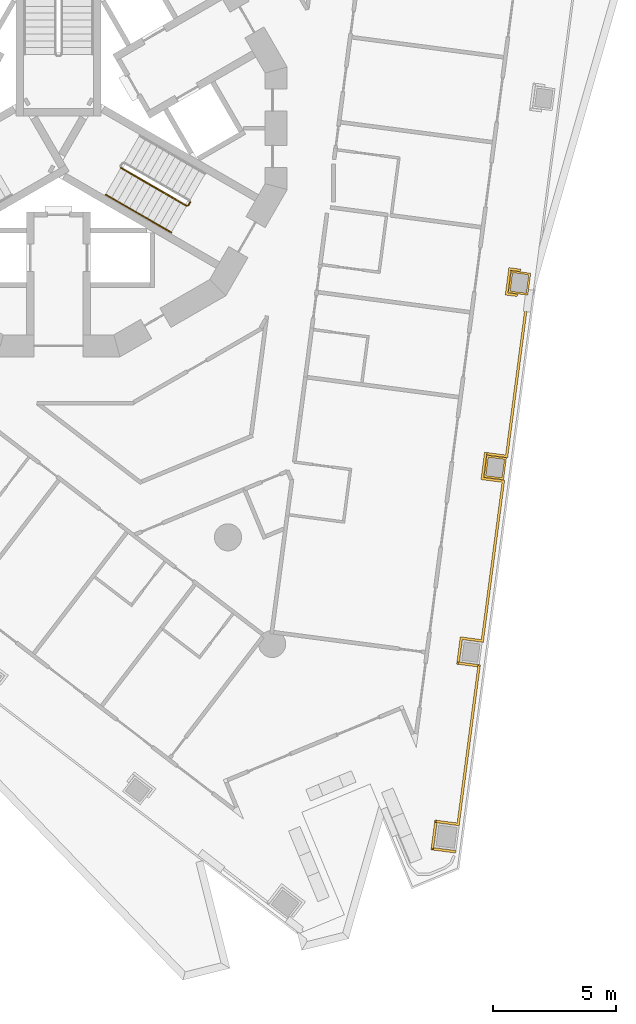
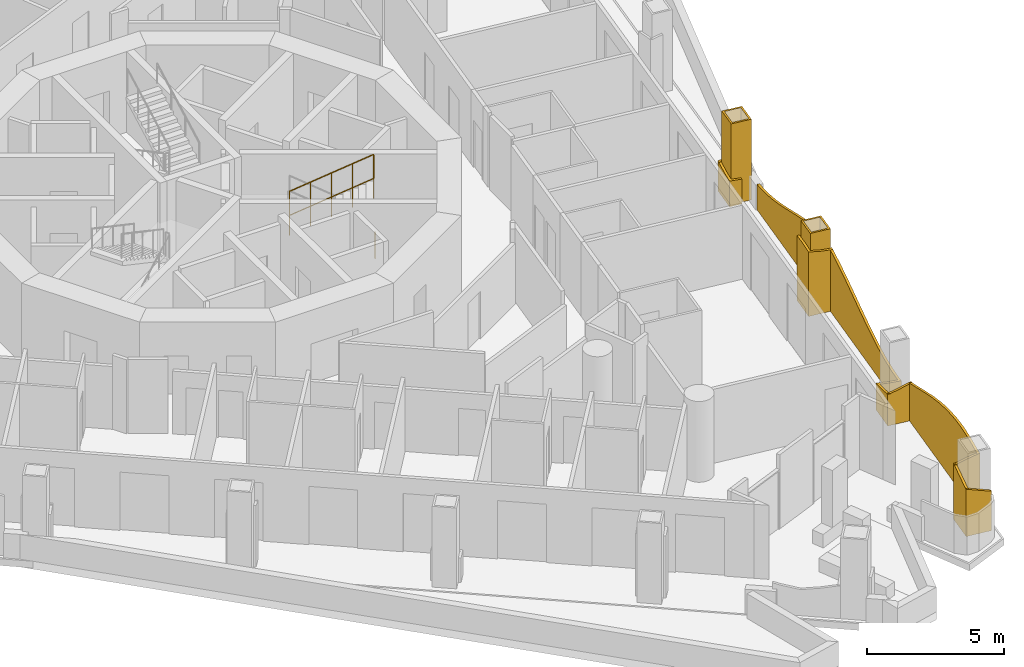
# One storey, part 14 of 19: 6 railings, 2 coverings.
"""IFC4 building model written with IfcOpenShell, lengths in metres."""

import ifcopenshell
import ifcopenshell.guid

model = None  # the IFC model being written
_history = None  # IfcOwnerHistory: only IFC2X3 demands one
_inside = {}  # id of a spatial element -> (the spatial element, [elements in it])
_under = {}  # id of a project, library or spatial element -> (it, [spatial elements below it])
_declared = {}  # id of a project -> (the project, [libraries it declares])
_typed = {}  # id of a type object -> (the type object, [elements of that type])
_made_of = {}  # id of a material, layer set ... -> (it, [elements and type objects made of it])


def new_model(schema):
    """Start an empty IFC model of exactly this schema.

    Asked for "IFC4X3", IfcOpenShell would pick the latest addendum, in which some entities
    have other attributes; the version numbers below select the first issue.
    IFC2X3 requires an IfcOwnerHistory on every rooted entity: one is made here for all.
    """
    global model, _history
    if schema == "IFC4X3":
        model = ifcopenshell.file(schema_version=(4, 3, 0, 0))
    else:
        model = ifcopenshell.file(schema=schema)
    _inside.clear()
    _under.clear()
    _declared.clear()
    _typed.clear()
    _made_of.clear()
    _history = None
    if model.schema == "IFC2X3":
        org = make("IfcOrganization", Name="unknown")
        user = make(
            "IfcPersonAndOrganization",
            ThePerson=make("IfcPerson", FamilyName="unknown"),
            TheOrganization=org,
        )
        app = make(
            "IfcApplication",
            ApplicationDeveloper=org,
            Version="unknown",
            ApplicationFullName="unknown",
            ApplicationIdentifier="unknown",
        )
        _history = make(
            "IfcOwnerHistory",
            OwningUser=user,
            OwningApplication=app,
            ChangeAction="ADDED",
            CreationDate=0,
        )
    return model


def make(cls, **values):
    """One entity of the class cls with the attributes given. An attribute that is None is left unset."""
    return model.create_entity(
        cls, **{name: value for name, value in values.items() if value is not None}
    )


def rooted(cls, **values):
    """An entity with a GlobalId (a new one), such as an element, a storey or a relation."""
    return make(cls, GlobalId=ifcopenshell.guid.new(), OwnerHistory=_history, **values)


def si_unit(unit_type, name, prefix=None):
    """IfcSIUnit, for example si_unit("LENGTHUNIT", "METRE", prefix="MILLI")."""
    return make("IfcSIUnit", UnitType=unit_type, Prefix=prefix, Name=name)


def assignment(units):
    """IfcUnitAssignment: the units of a project."""
    return None if units is None else make("IfcUnitAssignment", Units=units)


def point(xyz):
    """IfcCartesianPoint."""
    return None if xyz is None else make("IfcCartesianPoint", Coordinates=xyz)


def direction(xyz):
    """IfcDirection."""
    return None if xyz is None else make("IfcDirection", DirectionRatios=xyz)


def frame(location, z_axis=None, x_axis=None):
    """IfcAxis2Placement3D, a coordinate frame: its origin and axes. An axis left out is left unset."""
    return make(
        "IfcAxis2Placement3D",
        Location=point(location),
        Axis=direction(z_axis),
        RefDirection=direction(x_axis),
    )


def frame_2d(location, x_axis=None):
    """IfcAxis2Placement2D, a coordinate frame in the plane: its origin and x axis."""
    return make(
        "IfcAxis2Placement2D", Location=point(location), RefDirection=direction(x_axis)
    )


def origin():
    """The frame at (0, 0, 0) with its axes left unset."""
    return frame((0.0, 0.0, 0.0))


def origin_2d():
    """The frame at (0, 0) in the plane with its x axis left unset."""
    return frame_2d((0.0, 0.0))


def place(relative_to, where):
    """IfcLocalPlacement: puts the frame where relative to a parent placement (None: the world)."""
    return make(
        "IfcLocalPlacement", PlacementRelTo=relative_to, RelativePlacement=where
    )


def context(
    kind, dimensions, precision=None, world=None, true_north=None, identifier=None
):
    """IfcGeometricRepresentationContext, for example the 3D "Model" context."""
    return make(
        "IfcGeometricRepresentationContext",
        ContextIdentifier=identifier,
        ContextType=kind,
        CoordinateSpaceDimension=dimensions,
        Precision=precision,
        WorldCoordinateSystem=world,
        TrueNorth=true_north,
    )


def subcontext(parent, identifier, kind, view, scale=None):
    """IfcGeometricRepresentationSubContext, for example "Body" below "Model"."""
    return make(
        "IfcGeometricRepresentationSubContext",
        ContextIdentifier=identifier,
        ContextType=kind,
        ParentContext=parent,
        TargetScale=scale,
        TargetView=view,
    )


def project(units=None, contexts=None):
    """IfcProject with its units and contexts."""
    return rooted(
        "IfcProject",
        Name="project",
        RepresentationContexts=contexts,
        UnitsInContext=assignment(units),
    )


def spatial(cls, under=None, at=None, **own):
    """A site, building, storey or space (cls), placed at a placement, below another one or the project."""
    s = rooted(cls, ObjectPlacement=at, **own)
    if under is not None:
        _under.setdefault(under.id(), (under, []))[1].append(s)
    return s


def polyline(points):
    """IfcPolyline through the points."""
    return make("IfcPolyline", Points=[point(p) for p in points])


def profile(cls, at=None, kind="AREA", **sizes):
    """A parametric profile (cls). Its sizes go by their IFC names, for example OverallWidth=200.0."""
    return make(cls, ProfileType=kind, Position=at, **sizes)


def circle(**sizes):
    """IfcCircleProfileDef."""
    return profile("IfcCircleProfileDef", **sizes)


def outline(outer, holes=None, kind="AREA"):
    """IfcArbitraryClosedProfileDef: a profile drawn as a closed curve; with holes, ...WithVoids."""
    if holes is None:
        return make("IfcArbitraryClosedProfileDef", ProfileType=kind, OuterCurve=outer)
    return make(
        "IfcArbitraryProfileDefWithVoids",
        ProfileType=kind,
        OuterCurve=outer,
        InnerCurves=holes,
    )


def extrude(swept, where, along, depth):
    """IfcExtrudedAreaSolid: the profile swept, set in the frame where, extruded along a direction by depth."""
    return make(
        "IfcExtrudedAreaSolid",
        SweptArea=swept,
        Position=where,
        ExtrudedDirection=direction(along),
        Depth=depth,
    )


def shape(context_of_items, identifier, shape_type, items):
    """IfcShapeRepresentation: the items that make up one representation, for example the "Body"."""
    return make(
        "IfcShapeRepresentation",
        ContextOfItems=context_of_items,
        RepresentationIdentifier=identifier,
        RepresentationType=shape_type,
        Items=items,
    )


def material(Name=None, Category=None):
    """IfcMaterial."""
    return make("IfcMaterial", Name=Name, Category=Category)


def layer(
    of_material, thickness, ventilated=None, Name=None, Category=None, Priority=None
):
    """IfcMaterialLayer: one layer of a wall or slab, of a material (None: an air gap)."""
    return make(
        "IfcMaterialLayer",
        Material=of_material,
        LayerThickness=thickness,
        IsVentilated=ventilated,
        Name=Name,
        Category=Category,
        Priority=Priority,
    )


def layer_set(layers, Name=None):
    """IfcMaterialLayerSet."""
    return make("IfcMaterialLayerSet", MaterialLayers=layers, LayerSetName=Name)


def made_of(thing, what):
    """Note that an element or type object is made of a material, layer set ...; save() writes the relation."""
    if what is not None:
        _made_of.setdefault(what.id(), (what, []))[1].append(thing)
    return thing


def type_object(cls, material=None, **own):
    """A type object (cls), such as IfcWallType, which elements share."""
    return made_of(rooted(cls, **own), material)


def element(
    cls,
    number,
    at=None,
    inside=None,
    cuts=None,
    type_object=None,
    material=None,
    context=None,
    identifier="Body",
    shape_type=None,
    held_by="IfcProductDefinitionShape",
    body=None,
    shapes=None,
    **own,
):
    """One element of the class cls, such as IfcWall. Its Tag is "e" and its number.

    at: its placement. inside: the storey or other place that contains it. cuts: it is an
    opening in that element (IfcRelVoidsElement). A single representation is given by context,
    identifier, shape_type and body (its items); several are given by shapes. held_by: the class
    of the entity that holds the representations. save() writes the other relations.
    """
    e = rooted(cls, Tag="e%d" % number, ObjectPlacement=at, **own)
    if body is not None:
        shapes = [shape(context, identifier, shape_type, body)]
    if shapes is not None:
        e.Representation = make(held_by, Representations=shapes)
    if inside is not None:
        _inside.setdefault(inside.id(), (inside, []))[1].append(e)
    if cuts is not None:
        rooted(
            "IfcRelVoidsElement", RelatingBuildingElement=cuts, RelatedOpeningElement=e
        )
    if type_object is not None:
        _typed.setdefault(type_object.id(), (type_object, []))[1].append(e)
    return made_of(e, material)


def aggregate(whole, parts):
    """IfcRelAggregates: a whole, such as a stair, and the parts it consists of."""
    return rooted("IfcRelAggregates", RelatingObject=whole, RelatedObjects=parts)


def save(model, path):
    """Write the relations noted so far, then the file.

    IfcRelAggregates (storeys below a building ...), IfcRelContainedInSpatialStructure (elements
    in a storey), IfcRelDefinesByType, IfcRelAssociatesMaterial and IfcRelDeclares: one each for
    every whole, place, type object, material and project.
    """
    for whole, parts in _under.values():
        aggregate(whole, parts)
    for where, things in _inside.values():
        rooted(
            "IfcRelContainedInSpatialStructure",
            RelatedElements=things,
            RelatingStructure=where,
        )
    for kind, things in _typed.values():
        rooted("IfcRelDefinesByType", RelatedObjects=things, RelatingType=kind)
    for what, things in _made_of.values():
        rooted("IfcRelAssociatesMaterial", RelatedObjects=things, RelatingMaterial=what)
    for by, libraries in _declared.values():
        rooted("IfcRelDeclares", RelatingContext=by, RelatedDefinitions=libraries)
    model.write(path)


model = new_model("IFC4")

# Units and contexts
model_context = context("Model", 3, precision=1e-05, world=origin(), true_north=direction((0.0, 1.0)))
body_context = subcontext(model_context, "Body", "Model", "MODEL_VIEW")
ifc_project = project(units=[si_unit("LENGTHUNIT", "METRE"), si_unit("AREAUNIT", "SQUARE_METRE"), si_unit("VOLUMEUNIT", "CUBIC_METRE"), si_unit("PLANEANGLEUNIT", "RADIAN"), si_unit("MASSUNIT", "GRAM", prefix="KILO")], contexts=[model_context])

# Site, building, storey
site_placement = place(None, origin())
site = spatial("IfcSite", under=ifc_project, at=site_placement, CompositionType="ELEMENT")
building_placement = place(site_placement, origin())
building = spatial("IfcBuilding", under=site, at=building_placement, Name="Trine Commons Tower", CompositionType="ELEMENT")
storey_placement = place(building_placement, frame((0.0, 0.0, 124.199951171875)))
storey = spatial("IfcBuildingStorey", under=building, at=storey_placement, Name="L31", CompositionType="ELEMENT", Elevation=124.199951171875)

# Coverings
ifc_material_1 = material(Name="Limestone, honed", Category="masonry")
ifc_layer_1 = layer(ifc_material_1, 0.074951171875)
ifc_layer_set_1 = layer_set([ifc_layer_1], Name="Limestone, honed")
covering_type = type_object("IfcCoveringType", Name="Limestone column cladding 75", PredefinedType="CLADDING", material=ifc_layer_set_1)
covering_1_placement = place(storey_placement, origin())
element("IfcCovering", 1, at=covering_1_placement, inside=storey, type_object=covering_type, Name="Limestone pier cladding 4-21", PredefinedType="CLADDING", context=body_context, shape_type="SweptSolid", body=[
    extrude(outline(polyline([(99.150146484375, 56.6240234375), (98.35693359375, 56.728515625), (98.239501953125, 55.836181640625), (99.03271484375, 55.731689453125), (99.150146484375, 56.6240234375)]), holes=[polyline([(99.06591796875, 56.5595703125), (98.42138671875, 56.644287109375), (98.323486328125, 55.90087890625), (98.968017578125, 55.81591796875), (99.06591796875, 56.5595703125)])]), origin(), (0.0, 0.0, 1.0), 3.60009765625),
])
covering_2_placement = place(storey_placement, origin())
element("IfcCovering", 2, at=covering_2_placement, inside=storey, type_object=covering_type, Name="Limestone pier cladding 4-22", PredefinedType="CLADDING", context=body_context, shape_type="SweptSolid", body=[
    extrude(outline(polyline([(98.164306640625, 49.13671875), (97.371337890625, 49.2412109375), (97.25390625, 48.34912109375), (98.046875, 48.244384765625), (98.164306640625, 49.13671875)]), holes=[polyline([(98.080322265625, 49.072265625), (97.435791015625, 49.156982421875), (97.337890625, 48.41357421875), (97.982421875, 48.32861328125), (98.080322265625, 49.072265625)])]), origin(), (0.0, 0.0, 1.0), 3.60009765625),
])

# Railings
ifc_material_2 = material(Name="Stainless steel balustrade", Category="steel")
railing_type_1 = type_object("IfcRailingType", Name="Stair guard, steel balustrade 1100", PredefinedType="GUARDRAIL", material=ifc_material_2)
railing_1_placement = place(storey_placement, frame((82.52734375, 60.896484375, 1.949951171875)))
element("IfcRailing", 3, at=railing_1_placement, inside=storey, type_object=railing_type_1, Name="L31 ST3B stair guard 3", PredefinedType="GUARDRAIL", context=body_context, shape_type="SweptSolid", body=[
    extrude(circle(Radius=0.02392578125, at=origin_2d()), frame((0.0, 0.0, 1.076171875), z_axis=(0.763379768245, -0.440728498818, 0.472239049384), x_axis=(0.499992328818, 0.866029832698, 0.0)), (0.0, 0.0, 1.0), 3.494384765625),
    extrude(circle(Radius=0.02099609375, at=origin_2d()), origin(), (0.0, 0.0, 1.0), 1.052001953125),
    extrude(circle(Radius=0.02099609375, at=origin_2d()), frame((0.6669921875, -0.385009765625, 0.41259765625)), (0.0, 0.0, 1.0), 1.052001953125),
    extrude(circle(Radius=0.02099609375, at=origin_2d()), frame((1.333740234375, -0.77001953125, 0.8251953125)), (0.0, 0.0, 1.0), 1.052001953125),
    extrude(circle(Radius=0.02099609375, at=origin_2d()), frame((2.00048828125, -1.155029296875, 1.237548828125)), (0.0, 0.0, 1.0), 1.052001953125),
    extrude(circle(Radius=0.02099609375, at=origin_2d()), frame((2.66748046875, -1.5400390625, 1.650146484375)), (0.0, 0.0, 1.0), 1.052001953125),
])
railing_2_placement = place(storey_placement, frame((85.338134765625, 59.504638671875, 0.0)))
element("IfcRailing", 4, at=railing_2_placement, inside=storey, type_object=railing_type_1, Name="L31 ST3B stair guard 4", PredefinedType="GUARDRAIL", context=body_context, shape_type="SweptSolid", body=[
    extrude(circle(Radius=0.02392578125, at=origin_2d()), frame((0.0, 0.0, 1.076171875), z_axis=(-0.499816412211, -0.866131372301, 0.0), x_axis=(0.866131372301, -0.499816412211, 0.0)), (0.0, 0.0, 1.0), 0.14990234375),
    extrude(circle(Radius=0.02099609375, at=origin_2d()), origin(), (0.0, 0.0, 1.0), 1.052001953125),
    extrude(circle(Radius=0.02099609375, at=origin_2d()), frame((-0.074951171875, -0.1298828125, 0.0)), (0.0, 0.0, 1.0), 1.052001953125),
])
ifc_material_3 = material(Name="Stainless steel handrail", Category="steel")
railing_type_2 = type_object("IfcRailingType", Name="Stair handrail, steel 900", PredefinedType="HANDRAIL", material=ifc_material_3)
railing_3_placement = place(storey_placement, frame((81.90234375, 59.81396484375, 1.949951171875)))
element("IfcRailing", 5, at=railing_3_placement, inside=storey, type_object=railing_type_2, Name="L31 ST3B stair handrail 3", PredefinedType="HANDRAIL", context=body_context, shape_type="SweptSolid", body=[
    extrude(circle(Radius=0.02099609375, at=origin_2d()), frame((0.0, 0.0, 0.87890625), z_axis=(0.763354580307, -0.440713956853, 0.472293333596), x_axis=(0.499992328818, 0.866029832698, 0.0)), (0.0, 0.0, 1.0), 1.747314453125),
    extrude(circle(Radius=0.01513671875, at=origin_2d()), origin(), (0.0, 0.0, 1.0), 0.85791015625),
    extrude(circle(Radius=0.01513671875, at=origin_2d()), frame((0.6669921875, -0.385009765625, 0.41259765625)), (0.0, 0.0, 1.0), 0.85791015625),
    extrude(circle(Radius=0.01513671875, at=origin_2d()), frame((1.333740234375, -0.77001953125, 0.8251953125)), (0.0, 0.0, 1.0), 0.85791015625),
])
railing_4_placement = place(storey_placement, frame((83.236083984375, 59.0439453125, 2.775146484375)))
element("IfcRailing", 6, at=railing_4_placement, inside=storey, type_object=railing_type_2, Name="L31 ST3B stair handrail 4", PredefinedType="HANDRAIL", context=body_context, shape_type="SweptSolid", body=[
    extrude(circle(Radius=0.02099609375, at=origin_2d()), frame((0.0, 0.0, 0.87890625), z_axis=(0.76340495495, -0.440743040072, 0.472184759798), x_axis=(0.499992328818, 0.866029832698, 0.0)), (0.0, 0.0, 1.0), 1.7470703125),
    extrude(circle(Radius=0.01513671875, at=origin_2d()), origin(), (0.0, 0.0, 1.0), 0.85791015625),
    extrude(circle(Radius=0.01513671875, at=origin_2d()), frame((0.6669921875, -0.385009765625, 0.41259765625)), (0.0, 0.0, 1.0), 0.85791015625),
    extrude(circle(Radius=0.01513671875, at=origin_2d()), frame((1.333740234375, -0.77001953125, 0.824951171875)), (0.0, 0.0, 1.0), 0.85791015625),
])
ifc_material_4 = material(Name="White powder-coated aluminium", Category="aluminium")
ifc_layer_2 = layer(ifc_material_4, 0.10009765625)
ifc_layer_set_2 = layer_set([ifc_layer_2], Name="White powder-coated aluminium")
railing_type_3 = type_object("IfcRailingType", Name="White balustrade band 100", PredefinedType="GUARDRAIL", material=ifc_layer_set_2)
railing_5_placement = place(storey_placement, origin())
element("IfcRailing", 7, at=railing_5_placement, inside=storey, type_object=railing_type_3, Name="Guard band L31 18", PredefinedType="GUARDRAIL", context=body_context, shape_type="SweptSolid", body=[
    extrude(outline(polyline([(0.0, 0.0), (0.49072265625, 0.0), (0.49072265625, 1.319091796875), (0.49072265625, 1.319091796875), (0.010009765625, 1.444580078125), (0.0, 1.44775390625), (0.0, 0.0)])), frame((98.73486328125, 56.688720703125, 0.0), z_axis=(0.130827670699, 0.991405124346, 0.0), x_axis=(-0.991405124346, 0.130827670699, 0.0)), (0.0, 0.0, 1.0), 0.10009765625),
    extrude(outline(polyline([(0.0, 0.0), (1.12158203125, 0.0), (1.12158203125, 1.140869140625), (0.560791015625, 1.22265625), (0.0, 1.343505859375), (0.0, 0.0)])), frame((98.361572265625, 56.839599609375, 0.0), z_axis=(-0.991435764551, 0.130595270852, 0.0), x_axis=(-0.130595270852, -0.991435764551, 0.0)), (0.0, 0.0, 1.0), 0.10009765625),
    extrude(outline(polyline([(0.0, 0.0), (0.490966796875, 0.0), (0.490966796875, 1.10986328125), (0.48095703125, 1.1103515625), (0.0, 1.152587890625), (0.0, 0.0)])), frame((98.128173828125, 55.8408203125, 0.0), z_axis=(-0.130274437771, -0.991477972959, 0.0), x_axis=(0.991477972959, -0.130274437771, 0.0)), (0.0, 0.0, 1.0), 0.10009765625),
])
railing_6_placement = place(storey_placement, origin())
element("IfcRailing", 8, at=railing_6_placement, inside=storey, type_object=railing_type_3, Name="Guard band L31 19", PredefinedType="GUARDRAIL", context=body_context, shape_type="SweptSolid", body=[
    extrude(outline(polyline([(0.0, 0.0), (5.98779296875, 0.0), (5.98779296875, 2.800537109375), (5.98779296875, 2.800537109375), (5.250732421875, 2.6455078125), (4.513671875, 2.4345703125), (3.776611328125, 2.185546875), (3.03955078125, 1.920654296875), (2.302490234375, 1.662353515625), (1.5654296875, 1.433837890625), (0.828369140625, 1.254150390625), (0.09130859375, 1.1396484375), (0.0, 1.134765625), (0.0, 0.0)])), frame((98.99658203125, 55.07568359375, 0.0), z_axis=(-0.991446244446, 0.130515686316, 0.0), x_axis=(-0.130515686316, -0.991446244446, 0.0)), (0.0, 0.0, 1.0), 0.10009765625),
    extrude(outline(polyline([(0.0, 0.0), (0.9619140625, 0.0), (0.961669921875, 2.892578125), (0.480712890625, 2.780029296875), (0.0, 2.782958984375), (0.0, 0.0)])), frame((98.2158203125, 49.14013671875, 0.0), z_axis=(0.130467644579, 0.991452567558, 0.0), x_axis=(-0.991452567558, 0.130467644579, 0.0)), (0.0, 0.0, 1.0), 0.10009765625),
    extrude(outline(polyline([(0.0, 0.0), (1.121826171875, 0.0), (1.121826171875, 2.864990234375), (0.56103515625, 2.898681640625), (0.424072265625, 2.900146484375), (0.0, 2.886962890625), (0.0, 0.0)])), frame((97.375732421875, 49.352294921875, 0.0), z_axis=(-0.991439475548, 0.130567095112, 0.0), x_axis=(-0.130567095112, -0.991439475548, 0.0)), (0.0, 0.0, 1.0), 0.10009765625),
    extrude(outline(polyline([(0.0, 0.0), (0.962158203125, 0.0), (0.9619140625, 2.7294921875), (0.48095703125, 2.780029296875), (0.0, 2.874267578125), (0.0, 0.0)])), frame((97.142578125, 48.353515625, 0.0), z_axis=(-0.130434819473, -0.991456886541, 0.0), x_axis=(0.991456886541, -0.130434819473, 0.0)), (0.0, 0.0, 1.0), 0.10009765625),
    extrude(outline(polyline([(0.0, 0.0), (6.6337890625, 0.0), (6.633544921875, 1.105224609375), (6.364990234375, 1.10009765625), (5.896484375, 1.115966796875), (5.159423828125, 1.20361328125), (4.42236328125, 1.3603515625), (3.685302734375, 1.572998046875), (2.9482421875, 1.82275390625), (2.211181640625, 2.087890625), (1.47412109375, 2.345458984375), (0.737060546875, 2.572998046875), (0.0, 2.75048828125), (0.0, 0.0)])), frame((98.09521484375, 48.22900390625, 0.0), z_axis=(-0.991442892519, 0.130541146285, 0.0), x_axis=(-0.130541146285, -0.991442892519, 0.0)), (0.0, 0.0, 1.0), 0.10009765625),
    extrude(outline(polyline([(0.0, 0.0), (0.961181640625, 0.0), (0.961181640625, 1.19091796875), (0.480712890625, 1.13037109375), (0.0, 1.10205078125), (0.0, 0.0)])), frame((97.229736328125, 41.65283203125, 0.0), z_axis=(0.130566218239, 0.991439591026, 0.0), x_axis=(-0.991439591026, 0.130566218239, 0.0)), (0.0, 0.0, 1.0), 0.10009765625),
    extrude(outline(polyline([(0.0, 0.0), (1.121337890625, 0.0), (1.12158203125, 1.4150390625), (0.560791015625, 1.277099609375), (0.0, 1.175537109375), (0.0, 0.0)])), frame((96.389892578125, 41.86474609375, 0.0), z_axis=(-0.991460222686, 0.130409458364, 0.0), x_axis=(-0.130409458364, -0.991460222686, 0.0)), (0.0, 0.0, 1.0), 0.10009765625),
    extrude(outline(polyline([(0.0, 0.0), (0.9619140625, 0.0), (0.961669921875, 1.68115234375), (0.480712890625, 1.525634765625), (0.0, 1.3876953125), (0.0, 0.0)])), frame((96.156982421875, 40.8662109375, 0.0), z_axis=(-0.130467644579, -0.991452567558, 0.0), x_axis=(0.991452567558, -0.130467644579, 0.0)), (0.0, 0.0, 1.0), 0.10009765625),
    extrude(outline(polyline([(0.0, 0.0), (6.584228515625, 0.0), (6.583984375, 2.704833984375), (5.852294921875, 2.8369140625), (5.120849609375, 2.89697265625), (4.91357421875, 2.900146484375), (4.389404296875, 2.880126953125), (3.65771484375, 2.787841796875), (2.92626953125, 2.628173828125), (2.194580078125, 2.41455078125), (1.463134765625, 2.165283203125), (0.731689453125, 1.902099609375), (0.0, 1.64697265625), (0.0, 0.0)])), frame((97.109375, 40.74169921875, 0.0), z_axis=(-0.991445458684, 0.130521655119, 0.0), x_axis=(-0.130521655119, -0.991445458684, 0.0)), (0.0, 0.0, 1.0), 0.10009765625),
    extrude(outline(polyline([(0.0, 0.0), (1.011962890625, 0.0), (1.01220703125, 2.458251953125), (0.506103515625, 2.605224609375), (0.0, 2.727294921875), (0.0, 0.0)])), frame((96.251220703125, 34.215087890625, 0.0), z_axis=(0.130504433005, 0.991447725786, 0.0), x_axis=(-0.991447725786, 0.130504433005, 0.0)), (0.0, 0.0, 1.0), 0.10009765625),
    extrude(outline(polyline([(0.0, 0.0), (1.2216796875, 0.0), (1.2216796875, 2.075927734375), (0.61083984375, 2.29150390625), (0.0, 2.489501953125), (0.0, 0.0)])), frame((95.361328125, 34.433349609375, 0.0), z_axis=(-0.991422296295, 0.130697476673, 0.0), x_axis=(-0.130697476673, -0.991422296295, 0.0)), (0.0, 0.0, 1.0), 0.10009765625),
    extrude(outline(polyline([(0.0, 0.0), (1.010986328125, 0.0), (1.010986328125, 1.75048828125), (0.505615234375, 1.929931640625), (0.0, 2.112548828125), (0.0, 0.0)])), frame((95.115478515625, 33.335693359375, 0.0), z_axis=(-0.130392049843, -0.991462512321, 0.0), x_axis=(0.991462512321, -0.130392049843, 0.0)), (0.0, 0.0, 1.0), 0.10009765625),
])

save(model, "model.ifc")
